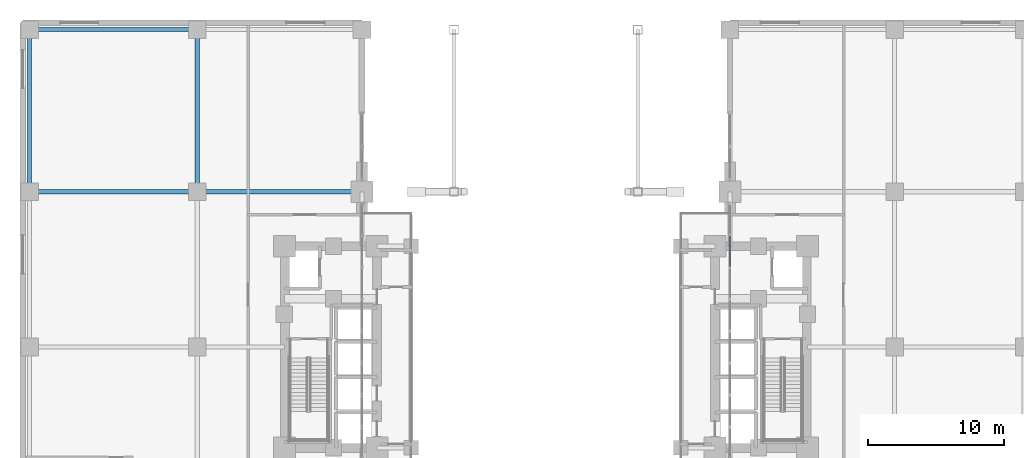
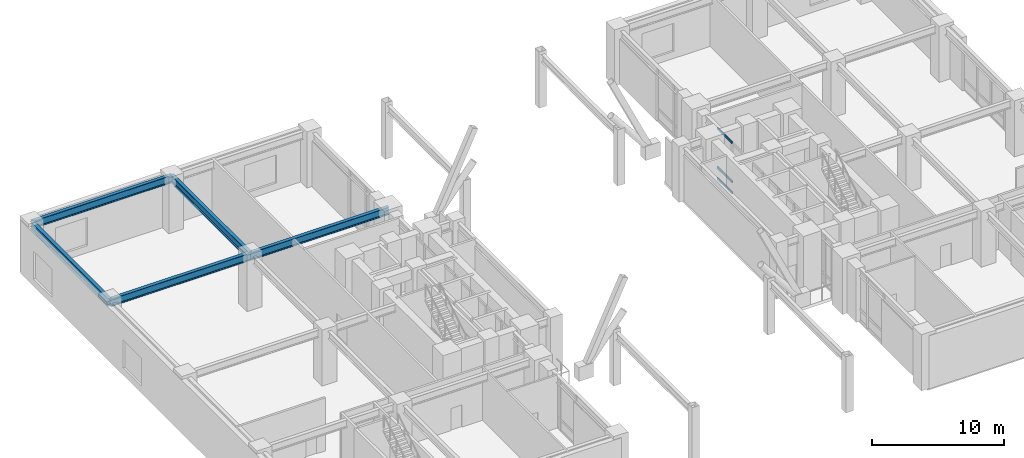
# One storey, part 9 of 26: 5 beams, 3 members, 1 element without a shape of its own.
"""IFC4 building model written with IfcOpenShell, lengths in metres."""

import ifcopenshell
import ifcopenshell.guid

model = None  # the IFC model being written
_history = None  # IfcOwnerHistory: only IFC2X3 demands one
_inside = {}  # id of a spatial element -> (the spatial element, [elements in it])
_under = {}  # id of a project, library or spatial element -> (it, [spatial elements below it])
_declared = {}  # id of a project -> (the project, [libraries it declares])
_typed = {}  # id of a type object -> (the type object, [elements of that type])
_made_of = {}  # id of a material, layer set ... -> (it, [elements and type objects made of it])


def new_model(schema):
    """Start an empty IFC model of exactly this schema.

    Asked for "IFC4X3", IfcOpenShell would pick the latest addendum, in which some entities
    have other attributes; the version numbers below select the first issue.
    IFC2X3 requires an IfcOwnerHistory on every rooted entity: one is made here for all.
    """
    global model, _history
    if schema == "IFC4X3":
        model = ifcopenshell.file(schema_version=(4, 3, 0, 0))
    else:
        model = ifcopenshell.file(schema=schema)
    _inside.clear()
    _under.clear()
    _declared.clear()
    _typed.clear()
    _made_of.clear()
    _history = None
    if model.schema == "IFC2X3":
        org = make("IfcOrganization", Name="unknown")
        user = make(
            "IfcPersonAndOrganization",
            ThePerson=make("IfcPerson", FamilyName="unknown"),
            TheOrganization=org,
        )
        app = make(
            "IfcApplication",
            ApplicationDeveloper=org,
            Version="unknown",
            ApplicationFullName="unknown",
            ApplicationIdentifier="unknown",
        )
        _history = make(
            "IfcOwnerHistory",
            OwningUser=user,
            OwningApplication=app,
            ChangeAction="ADDED",
            CreationDate=0,
        )
    return model


def make(cls, **values):
    """One entity of the class cls with the attributes given. An attribute that is None is left unset."""
    return model.create_entity(
        cls, **{name: value for name, value in values.items() if value is not None}
    )


def rooted(cls, **values):
    """An entity with a GlobalId (a new one), such as an element, a storey or a relation."""
    return make(cls, GlobalId=ifcopenshell.guid.new(), OwnerHistory=_history, **values)


def si_unit(unit_type, name, prefix=None):
    """IfcSIUnit, for example si_unit("LENGTHUNIT", "METRE", prefix="MILLI")."""
    return make("IfcSIUnit", UnitType=unit_type, Prefix=prefix, Name=name)


def assignment(units):
    """IfcUnitAssignment: the units of a project."""
    return None if units is None else make("IfcUnitAssignment", Units=units)


def point(xyz):
    """IfcCartesianPoint."""
    return None if xyz is None else make("IfcCartesianPoint", Coordinates=xyz)


def direction(xyz):
    """IfcDirection."""
    return None if xyz is None else make("IfcDirection", DirectionRatios=xyz)


def frame(location, z_axis=None, x_axis=None):
    """IfcAxis2Placement3D, a coordinate frame: its origin and axes. An axis left out is left unset."""
    return make(
        "IfcAxis2Placement3D",
        Location=point(location),
        Axis=direction(z_axis),
        RefDirection=direction(x_axis),
    )


def frame_2d(location, x_axis=None):
    """IfcAxis2Placement2D, a coordinate frame in the plane: its origin and x axis."""
    return make(
        "IfcAxis2Placement2D", Location=point(location), RefDirection=direction(x_axis)
    )


def origin():
    """The frame at (0, 0, 0) with its axes left unset."""
    return frame((0.0, 0.0, 0.0))


def origin_2d():
    """The frame at (0, 0) in the plane with its x axis left unset."""
    return frame_2d((0.0, 0.0))


def place(relative_to, where):
    """IfcLocalPlacement: puts the frame where relative to a parent placement (None: the world)."""
    return make(
        "IfcLocalPlacement", PlacementRelTo=relative_to, RelativePlacement=where
    )


def context(
    kind, dimensions, precision=None, world=None, true_north=None, identifier=None
):
    """IfcGeometricRepresentationContext, for example the 3D "Model" context."""
    return make(
        "IfcGeometricRepresentationContext",
        ContextIdentifier=identifier,
        ContextType=kind,
        CoordinateSpaceDimension=dimensions,
        Precision=precision,
        WorldCoordinateSystem=world,
        TrueNorth=true_north,
    )


def subcontext(parent, identifier, kind, view, scale=None):
    """IfcGeometricRepresentationSubContext, for example "Body" below "Model"."""
    return make(
        "IfcGeometricRepresentationSubContext",
        ContextIdentifier=identifier,
        ContextType=kind,
        ParentContext=parent,
        TargetScale=scale,
        TargetView=view,
    )


def project(units=None, contexts=None):
    """IfcProject with its units and contexts."""
    return rooted(
        "IfcProject",
        Name="project",
        RepresentationContexts=contexts,
        UnitsInContext=assignment(units),
    )


def spatial(cls, under=None, at=None, **own):
    """A site, building, storey or space (cls), placed at a placement, below another one or the project."""
    s = rooted(cls, ObjectPlacement=at, **own)
    if under is not None:
        _under.setdefault(under.id(), (under, []))[1].append(s)
    return s


def profile(cls, at=None, kind="AREA", **sizes):
    """A parametric profile (cls). Its sizes go by their IFC names, for example OverallWidth=200.0."""
    return make(cls, ProfileType=kind, Position=at, **sizes)


def hollow_rectangle(**sizes):
    """IfcRectangleHollowProfileDef."""
    return profile("IfcRectangleHollowProfileDef", **sizes)


def i_section(**sizes):
    """IfcIShapeProfileDef."""
    return profile("IfcIShapeProfileDef", **sizes)


def extrude(swept, where, along, depth):
    """IfcExtrudedAreaSolid: the profile swept, set in the frame where, extruded along a direction by depth."""
    return make(
        "IfcExtrudedAreaSolid",
        SweptArea=swept,
        Position=where,
        ExtrudedDirection=direction(along),
        Depth=depth,
    )


def shape(context_of_items, identifier, shape_type, items):
    """IfcShapeRepresentation: the items that make up one representation, for example the "Body"."""
    return make(
        "IfcShapeRepresentation",
        ContextOfItems=context_of_items,
        RepresentationIdentifier=identifier,
        RepresentationType=shape_type,
        Items=items,
    )


def material(Name=None, Category=None):
    """IfcMaterial."""
    return make("IfcMaterial", Name=Name, Category=Category)


def layer(
    of_material, thickness, ventilated=None, Name=None, Category=None, Priority=None
):
    """IfcMaterialLayer: one layer of a wall or slab, of a material (None: an air gap)."""
    return make(
        "IfcMaterialLayer",
        Material=of_material,
        LayerThickness=thickness,
        IsVentilated=ventilated,
        Name=Name,
        Category=Category,
        Priority=Priority,
    )


def layer_set(layers, Name=None):
    """IfcMaterialLayerSet."""
    return make("IfcMaterialLayerSet", MaterialLayers=layers, LayerSetName=Name)


def material_profile(
    of_material, cross_section, Name=None, Category=None, Priority=None
):
    """IfcMaterialProfile: a cross section and its material."""
    return make(
        "IfcMaterialProfile",
        Name=Name,
        Material=of_material,
        Profile=cross_section,
        Priority=Priority,
        Category=Category,
    )


def profile_set(profiles, Name=None, composite=None):
    """IfcMaterialProfileSet."""
    return make(
        "IfcMaterialProfileSet",
        Name=Name,
        MaterialProfiles=profiles,
        CompositeProfile=composite,
    )


def made_of(thing, what):
    """Note that an element or type object is made of a material, layer set ...; save() writes the relation."""
    if what is not None:
        _made_of.setdefault(what.id(), (what, []))[1].append(thing)
    return thing


def type_object(cls, material=None, **own):
    """A type object (cls), such as IfcWallType, which elements share."""
    return made_of(rooted(cls, **own), material)


def element(
    cls,
    number,
    at=None,
    inside=None,
    cuts=None,
    type_object=None,
    material=None,
    context=None,
    identifier="Body",
    shape_type=None,
    held_by="IfcProductDefinitionShape",
    body=None,
    shapes=None,
    **own,
):
    """One element of the class cls, such as IfcWall. Its Tag is "e" and its number.

    at: its placement. inside: the storey or other place that contains it. cuts: it is an
    opening in that element (IfcRelVoidsElement). A single representation is given by context,
    identifier, shape_type and body (its items); several are given by shapes. held_by: the class
    of the entity that holds the representations. save() writes the other relations.
    """
    e = rooted(cls, Tag="e%d" % number, ObjectPlacement=at, **own)
    if body is not None:
        shapes = [shape(context, identifier, shape_type, body)]
    if shapes is not None:
        e.Representation = make(held_by, Representations=shapes)
    if inside is not None:
        _inside.setdefault(inside.id(), (inside, []))[1].append(e)
    if cuts is not None:
        rooted(
            "IfcRelVoidsElement", RelatingBuildingElement=cuts, RelatedOpeningElement=e
        )
    if type_object is not None:
        _typed.setdefault(type_object.id(), (type_object, []))[1].append(e)
    return made_of(e, material)


def aggregate(whole, parts):
    """IfcRelAggregates: a whole, such as a stair, and the parts it consists of."""
    return rooted("IfcRelAggregates", RelatingObject=whole, RelatedObjects=parts)


def save(model, path):
    """Write the relations noted so far, then the file.

    IfcRelAggregates (storeys below a building ...), IfcRelContainedInSpatialStructure (elements
    in a storey), IfcRelDefinesByType, IfcRelAssociatesMaterial and IfcRelDeclares: one each for
    every whole, place, type object, material and project.
    """
    for whole, parts in _under.values():
        aggregate(whole, parts)
    for where, things in _inside.values():
        rooted(
            "IfcRelContainedInSpatialStructure",
            RelatedElements=things,
            RelatingStructure=where,
        )
    for kind, things in _typed.values():
        rooted("IfcRelDefinesByType", RelatedObjects=things, RelatingType=kind)
    for what, things in _made_of.values():
        rooted("IfcRelAssociatesMaterial", RelatedObjects=things, RelatingMaterial=what)
    for by, libraries in _declared.values():
        rooted("IfcRelDeclares", RelatingContext=by, RelatedDefinitions=libraries)
    model.write(path)


model = new_model("IFC4")

# Units and contexts
model_context = context("Model", 3, precision=1e-05, world=origin(), true_north=direction((0.0, 1.0)))
body_context = subcontext(model_context, "Body", "Model", "MODEL_VIEW")
ifc_project = project(units=[si_unit("LENGTHUNIT", "METRE"), si_unit("AREAUNIT", "SQUARE_METRE"), si_unit("VOLUMEUNIT", "CUBIC_METRE"), si_unit("PLANEANGLEUNIT", "RADIAN"), si_unit("MASSUNIT", "GRAM", prefix="KILO")], contexts=[model_context])

# Site, building, storey
site_placement = place(None, origin())
site = spatial("IfcSite", under=ifc_project, at=site_placement, CompositionType="ELEMENT")
building_placement = place(site_placement, origin())
building = spatial("IfcBuilding", under=site, at=building_placement, Name="Voryun Gate Residences", CompositionType="ELEMENT")
storey_placement = place(building_placement, frame((0.0, 0.0, 10.39990234375)))
storey = spatial("IfcBuildingStorey", under=building, at=storey_placement, Name="L02", CompositionType="ELEMENT", Elevation=10.39990234375)

# Beams
ifc_material_1 = material(Name="Steel SM355", Category="steel")
ifc_material_profile_1 = material_profile(ifc_material_1, i_section(OverallWidth=0.300048828125, OverallDepth=0.699951171875, WebThickness=0.012939453125, FlangeThickness=0.02392578125, FilletRadius=0.01806640625, at=origin_2d()), Name="H-700x300x13x24")
ifc_profile_set_1 = profile_set([ifc_material_profile_1], Name="Steel SM355")
beam_type = type_object("IfcBeamType", Name="BM_GIRD_700", PredefinedType="USERDEFINED", material=ifc_profile_set_1)
beam_1_placement = place(storey_placement, frame((-37.89990234375, 11.39990234375, 4.570068359375), z_axis=(1.0, 0.0, 0.0), x_axis=(0.0, 1.0, 0.0)))
element("IfcBeam", 1, at=beam_1_placement, inside=storey, type_object=beam_type, Name="BM-L02-PWX-+11.4-0", ObjectType="GIRDER", PredefinedType="USERDEFINED", context=body_context, shape_type="SweptSolid", body=[
    extrude(i_section(OverallWidth=0.300048828125, OverallDepth=0.699951171875, WebThickness=0.012939453125, FlangeThickness=0.02392578125, FilletRadius=0.01806640625, at=origin_2d()), origin(), (0.0, 0.0, 1.0), 12.2998046875),
])
beam_2_placement = place(storey_placement, frame((-25.60009765625, 11.39990234375, 4.570068359375), z_axis=(1.0, 0.0, 0.0), x_axis=(0.0, 1.0, 0.0)))
element("IfcBeam", 2, at=beam_2_placement, inside=storey, type_object=beam_type, Name="BM-L02-PWX-+11.4-1", ObjectType="GIRDER", PredefinedType="USERDEFINED", context=body_context, shape_type="SweptSolid", body=[
    extrude(i_section(OverallWidth=0.300048828125, OverallDepth=0.699951171875, WebThickness=0.012939453125, FlangeThickness=0.02392578125, FilletRadius=0.01806640625, at=origin_2d()), origin(), (0.0, 0.0, 1.0), 12.10009765625),
])
beam_3_placement = place(storey_placement, frame((-37.89990234375, 23.300048828125, 4.570068359375), z_axis=(1.0, 0.0, 0.0), x_axis=(0.0, 1.0, 0.0)))
element("IfcBeam", 3, at=beam_3_placement, inside=storey, type_object=beam_type, Name="BM-L02-PWX-+23.3-0", ObjectType="GIRDER", PredefinedType="USERDEFINED", context=body_context, shape_type="SweptSolid", body=[
    extrude(i_section(OverallWidth=0.300048828125, OverallDepth=0.699951171875, WebThickness=0.012939453125, FlangeThickness=0.02392578125, FilletRadius=0.01806640625, at=origin_2d()), origin(), (0.0, 0.0, 1.0), 12.2998046875),
])
for number, where, z_axis, x_axis, name in (
    (4, (-37.89990234375, 11.39990234375, 4.570068359375), (0.0, 1.0, 0.0), (-1.0, 0.0, 0.0), "BM-L02-PWY--37.9-3"),
    (5, (-25.60009765625, 11.39990234375, 4.570068359375), (0.0, 1.0, 0.0), (-1.0, 0.0, 0.0), "BM-L02-PWY--25.6-3"),
):
    element("IfcBeam", number, at=place(storey_placement, frame(where, z_axis=z_axis, x_axis=x_axis)), inside=storey, type_object=beam_type, Name=name, ObjectType="GIRDER", PredefinedType="USERDEFINED", context=body_context, shape_type="SweptSolid", body=[
        extrude(i_section(OverallWidth=0.300048828125, OverallDepth=0.699951171875, WebThickness=0.012939453125, FlangeThickness=0.02392578125, FilletRadius=0.01806640625, at=origin_2d()), origin(), (0.0, 0.0, 1.0), 11.900146484375),
    ])

# Curtain wall, members
ifc_material_2 = material(Name="Anodised aluminium", Category="aluminium")
ifc_layer = layer(ifc_material_2, 0.239990234375, Name="CW_SYS_ARCH_DARK_GLASS")
ifc_layer_set = layer_set([ifc_layer], Name="Anodised aluminium")
curtain_wall_type = type_object("IfcCurtainWallType", Name="CW_SYS_ARCH_DARK_GLASS", PredefinedType="NOTDEFINED", material=ifc_layer_set)
curtain_wall_placement = place(storey_placement, origin())
curtain_wall = element("IfcCurtainWall", 6, at=curtain_wall_placement, inside=storey, type_object=curtain_wall_type, Name="Curtain wall CW2-L02-EP-M", PredefinedType="NOTDEFINED")
ifc_material_3 = material(Name="Anodised aluminium", Category="aluminium")
ifc_material_profile_2 = material_profile(ifc_material_3, hollow_rectangle(XDim=0.090087890625, YDim=0.199951171875, WallThickness=0.006103515625, at=origin_2d()), Name="ALU-TRAN-200x90x6")
ifc_profile_set_2 = profile_set([ifc_material_profile_2], Name="Anodised aluminium")
member_type = type_object("IfcMemberType", Name="CW_TRAN_ARCH", PredefinedType="USERDEFINED", material=ifc_profile_set_2)
member_1_placement = place(storey_placement, frame((13.5, 5.893798828125, 0.030029296875), z_axis=(0.0, 1.0, 0.0), x_axis=(-1.0, 0.0, 0.0)))
member_1 = element("IfcMember", 7, at=member_1_placement, type_object=member_type, Name="CW2 transom 8.1", ObjectType="TRANSOM", PredefinedType="USERDEFINED", context=body_context, shape_type="SweptSolid", body=[
    extrude(hollow_rectangle(XDim=0.090087890625, YDim=0.199951171875, WallThickness=0.006103515625, at=origin_2d()), origin(), (0.0, 0.0, 1.0), 2.28564453125),
])
member_2_placement = place(storey_placement, frame((13.5, 5.893798828125, 1.050048828125), z_axis=(0.0, 1.0, 0.0), x_axis=(-1.0, 0.0, 0.0)))
member_2 = element("IfcMember", 8, at=member_2_placement, type_object=member_type, Name="CW2 transom 8.2", ObjectType="TRANSOM", PredefinedType="USERDEFINED", context=body_context, shape_type="SweptSolid", body=[
    extrude(hollow_rectangle(XDim=0.090087890625, YDim=0.199951171875, WallThickness=0.006103515625, at=origin_2d()), origin(), (0.0, 0.0, 1.0), 2.28564453125),
])
member_3_placement = place(storey_placement, frame((13.5, 5.893798828125, 4.670166015625), z_axis=(0.0, 1.0, 0.0), x_axis=(-1.0, 0.0, 0.0)))
member_3 = element("IfcMember", 9, at=member_3_placement, type_object=member_type, Name="CW2 transom 8.3", ObjectType="TRANSOM", PredefinedType="USERDEFINED", context=body_context, shape_type="SweptSolid", body=[
    extrude(hollow_rectangle(XDim=0.090087890625, YDim=0.199951171875, WallThickness=0.006103515625, at=origin_2d()), origin(), (0.0, 0.0, 1.0), 2.28564453125),
])
aggregate(curtain_wall, [member_1, member_2, member_3])

save(model, "model.ifc")
